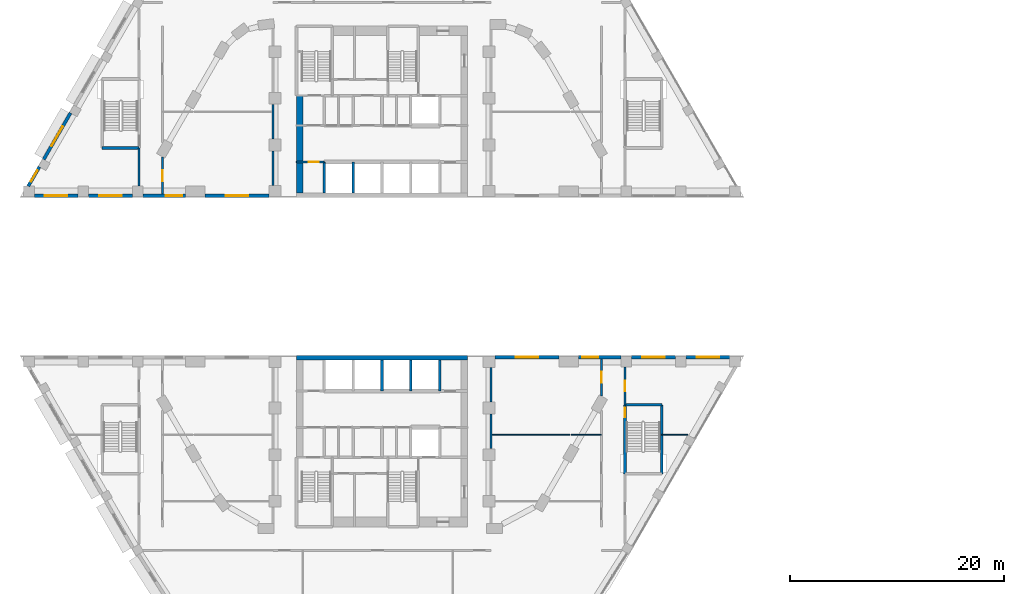
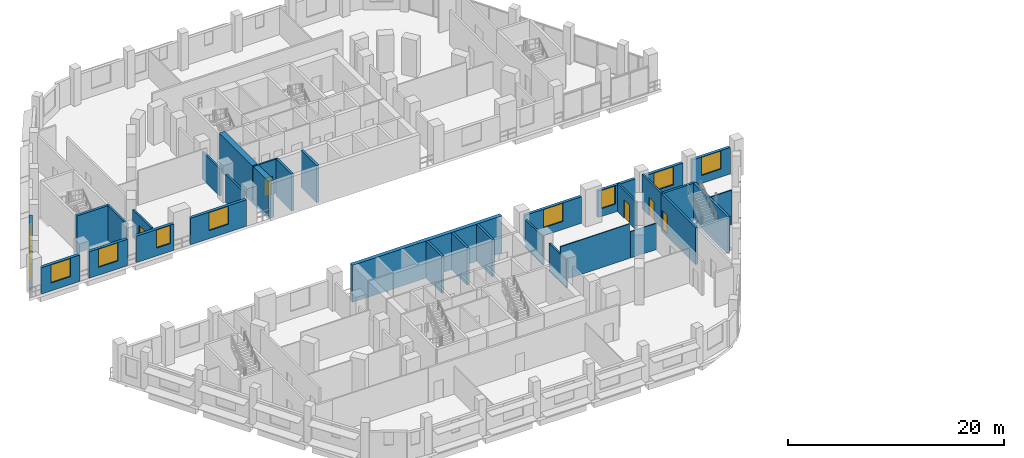
# One storey, part 16 of 45: 33 walls, 10 windows, 5 doors, 15 openings.
"""IFC4 building model written with IfcOpenShell, lengths in metres."""

from ifc_helpers import new_model, si_unit, direction, frame, frame_2d, origin, place, context, subcontext, project, spatial, rectangle, extrude, material, layer, layer_set, type_object, element, fill, save


model = new_model("IFC4")

# Units and contexts
model_context = context("Model", 3, precision=1e-05, world=origin(), true_north=direction((0.0, 1.0)))
body_context = subcontext(model_context, "Body", "Model", "MODEL_VIEW")
ifc_project = project(units=[si_unit("LENGTHUNIT", "METRE"), si_unit("AREAUNIT", "SQUARE_METRE"), si_unit("VOLUMEUNIT", "CUBIC_METRE"), si_unit("PLANEANGLEUNIT", "RADIAN"), si_unit("MASSUNIT", "GRAM", prefix="KILO")], contexts=[model_context])

# Site, building, storey
site_placement = place(None, origin())
site = spatial("IfcSite", under=ifc_project, at=site_placement, CompositionType="ELEMENT")
building_placement = place(site_placement, origin())
building = spatial("IfcBuilding", under=site, at=building_placement, Name="Nakaniwa Court", CompositionType="ELEMENT")
storey_placement = place(building_placement, frame((0.0, 0.0, 11.39990234375)))
storey = spatial("IfcBuildingStorey", under=building, at=storey_placement, Name="L02", CompositionType="ELEMENT", Elevation=11.39990234375)

# Wall, opening, door
ifc_material_1 = material(Name="Acoustic double stud partition")
ifc_layer_1 = layer(ifc_material_1, 0.199951171875)
ifc_layer_set_1 = layer_set([ifc_layer_1], Name="Acoustic double stud partition")
wall_type_1 = type_object("IfcWallType", Name="Acoustic double stud partition 200", PredefinedType="PARTITIONING", material=ifc_layer_set_1)
wall_1_placement = place(storey_placement, frame((102.699951171875, 71.532958984375, 0.0), z_axis=(0.0, 0.0, 1.0), x_axis=(0.0, -1.0, 0.0)))
wall_1 = element("IfcWall", 1, at=wall_1_placement, inside=storey, type_object=wall_type_1, Name="Partition PW-082", PredefinedType="PARTITIONING", context=body_context, shape_type="SweptSolid", body=[
    extrude(rectangle(XDim=3.535888671875, YDim=0.199951171875, at=frame_2d((1.76806640625, 0.0))), origin(), (0.0, 0.0, 1.0), 3.900146484375),
])
opening_1_placement = place(wall_1_placement, frame((1.26806640625, 0.0, 0.0)))
opening_1 = element("IfcOpeningElement", 2, at=opening_1_placement, cuts=wall_1, Name="Opening D-02-09", PredefinedType="OPENING", context=body_context, shape_type="SweptSolid", body=[
    extrude(rectangle(XDim=1.0, YDim=2.10009765625, at=frame_2d((0.5, 1.050048828125))), frame((0.0, 0.10986328125, 0.0), z_axis=(0.0, -1.0, 0.0), x_axis=(1.0, 0.0, 0.0)), (0.0, 0.0, 1.0), 0.219970703125),
])
ifc_material_2 = material(Name="Solid core timber door set, black veneer", Category="wood")
door_type_1 = type_object("IfcDoorType", Name="Internal door 1000", OperationType="NOTDEFINED", PredefinedType="DOOR", material=ifc_material_2)
door_1_placement = place(opening_1_placement, origin())
door_1 = element("IfcDoor", 3, at=door_1_placement, inside=storey, type_object=door_type_1, Name="Door D-02-09 L02-042", OperationType="SINGLE_SWING_LEFT", OverallHeight=2.10009765625, OverallWidth=1.0, PredefinedType="DOOR", context=body_context, shape_type="SweptSolid", body=[
    extrude(rectangle(XDim=1.0, YDim=2.10009765625, at=frame_2d((0.5, 1.050048828125))), frame((0.0, 0.02490234375, 0.0), z_axis=(0.0, -1.0, 0.0), x_axis=(1.0, 0.0, 0.0)), (0.0, 0.0, 1.0), 0.050048828125),
])
fill(opening_1, door_1)

wall_2_placement = place(storey_placement, frame((100.5, 68.850830078125, 0.0), z_axis=(0.0, 0.0, 1.0), x_axis=(0.0, 1.0, 0.0)))
wall_2 = element("IfcWall", 4, at=wall_2_placement, inside=storey, type_object=wall_type_1, Name="Partition PW-086", PredefinedType="PARTITIONING", context=body_context, shape_type="SweptSolid", body=[
    extrude(rectangle(XDim=3.44921875, YDim=0.199951171875, at=frame_2d((1.724609375, 0.0))), origin(), (0.0, 0.0, 1.0), 3.130126953125),
])
opening_2_placement = place(wall_2_placement, frame((1.22607421875, 0.0, 0.0)))
opening_2 = element("IfcOpeningElement", 5, at=opening_2_placement, cuts=wall_2, Name="Opening D-02-13", PredefinedType="OPENING", context=body_context, shape_type="SweptSolid", body=[
    extrude(rectangle(XDim=1.0, YDim=2.10009765625, at=frame_2d((0.5, 1.050048828125))), frame((0.0, 0.10986328125, 0.0), z_axis=(0.0, -1.0, 0.0), x_axis=(1.0, 0.0, 0.0)), (0.0, 0.0, 1.0), 0.219970703125),
])
door_2_placement = place(opening_2_placement, origin())
door_2 = element("IfcDoor", 6, at=door_2_placement, inside=storey, type_object=door_type_1, Name="Door D-02-13 L02-046", OperationType="SINGLE_SWING_LEFT", OverallHeight=2.10009765625, OverallWidth=1.0, PredefinedType="DOOR", context=body_context, shape_type="SweptSolid", body=[
    extrude(rectangle(XDim=1.0, YDim=2.10009765625, at=frame_2d((0.5, 1.050048828125))), frame((0.0, 0.02490234375, 0.0), z_axis=(0.0, -1.0, 0.0), x_axis=(1.0, 0.0, 0.0)), (0.0, 0.0, 1.0), 0.050048828125),
])
fill(opening_2, door_2)

# Wall
wall_3_placement = place(storey_placement, frame((57.300048828125, 88.467041015625, 0.0), z_axis=(0.0, 0.0, 1.0), x_axis=(0.0, 1.0, 0.0)))
element("IfcWall", 7, at=wall_3_placement, inside=storey, type_object=wall_type_1, Name="Partition PW-096", PredefinedType="PARTITIONING", context=body_context, shape_type="SweptSolid", body=[
    extrude(rectangle(XDim=3.535888671875, YDim=0.199951171875, at=frame_2d((1.76806640625, 0.0))), origin(), (0.0, 0.0, 1.0), 3.900146484375),
])

# Wall, opening, door
wall_4_placement = place(storey_placement, frame((59.5, 91.149169921875, 0.0), z_axis=(0.0, 0.0, 1.0), x_axis=(0.0, -1.0, 0.0)))
wall_4 = element("IfcWall", 8, at=wall_4_placement, inside=storey, type_object=wall_type_1, Name="Partition PW-100", PredefinedType="PARTITIONING", context=body_context, shape_type="SweptSolid", body=[
    extrude(rectangle(XDim=3.44921875, YDim=0.199951171875, at=frame_2d((1.724609375, 0.0))), origin(), (0.0, 0.0, 1.0), 3.130126953125),
])
opening_3_placement = place(wall_4_placement, frame((1.22607421875, 0.0, 0.0)))
opening_3 = element("IfcOpeningElement", 9, at=opening_3_placement, cuts=wall_4, Name="Opening D-02-04", PredefinedType="OPENING", context=body_context, shape_type="SweptSolid", body=[
    extrude(rectangle(XDim=1.0, YDim=2.10009765625, at=frame_2d((0.5, 1.050048828125))), frame((0.0, 0.10986328125, 0.0), z_axis=(0.0, -1.0, 0.0), x_axis=(1.0, 0.0, 0.0)), (0.0, 0.0, 1.0), 0.219970703125),
])
door_3_placement = place(opening_3_placement, origin())
door_3 = element("IfcDoor", 10, at=door_3_placement, inside=storey, type_object=door_type_1, Name="Door D-02-04 L02-035", OperationType="SINGLE_SWING_RIGHT", OverallHeight=2.10009765625, OverallWidth=1.0, PredefinedType="DOOR", context=body_context, shape_type="SweptSolid", body=[
    extrude(rectangle(XDim=1.0, YDim=2.10009765625, at=frame_2d((0.5, 1.050048828125))), frame((0.0, 0.02490234375, 0.0), z_axis=(0.0, -1.0, 0.0), x_axis=(1.0, 0.0, 0.0)), (0.0, 0.0, 1.0), 0.050048828125),
])
fill(opening_3, door_3)

# Walls
wall_5_placement = place(storey_placement, frame((90.199951171875, 63.9169921875, 0.0), z_axis=(0.0, 0.0, 1.0), x_axis=(0.0, 1.0, 0.0)))
element("IfcWall", 11, at=wall_5_placement, inside=storey, type_object=wall_type_1, Name="Partition PW-104", PredefinedType="PARTITIONING", context=body_context, shape_type="SweptSolid", body=[
    extrude(rectangle(XDim=3.216064453125, YDim=0.199951171875, at=frame_2d((1.60791015625, 0.0))), origin(), (0.0, 0.0, 1.0), 3.130126953125),
])
for number, where, z_axis, x_axis, name in (
    (12, (90.199951171875, 68.26708984375, 0.0), (0.0, 0.0, 1.0), (0.0, 1.0, 0.0), "Partition PW-105"),
    (13, (69.800048828125, 88.51708984375, 0.0), (0.0, 0.0, 1.0), (0.0, 1.0, 0.0), "Partition PW-114"),
):
    element("IfcWall", number, at=place(storey_placement, frame(where, z_axis=z_axis, x_axis=x_axis)), inside=storey, type_object=wall_type_1, Name=name, PredefinedType="PARTITIONING", context=body_context, shape_type="SweptSolid", body=[
        extrude(rectangle(XDim=3.2158203125, YDim=0.199951171875, at=frame_2d((1.60791015625, 0.0))), origin(), (0.0, 0.0, 1.0), 3.130126953125),
    ])
wall_6_placement = place(storey_placement, frame((69.800048828125, 92.866943359375, 0.0), z_axis=(0.0, 0.0, 1.0), x_axis=(0.0, 1.0, 0.0)))
element("IfcWall", 14, at=wall_6_placement, inside=storey, type_object=wall_type_1, Name="Partition PW-115", PredefinedType="PARTITIONING", context=body_context, shape_type="SweptSolid", body=[
    extrude(rectangle(XDim=3.216064453125, YDim=0.199951171875, at=frame_2d((1.60791015625, 0.0))), origin(), (0.0, 0.0, 1.0), 3.130126953125),
])

# Wall, opening, window
ifc_material_3 = material(Name="Charcoal ceramic cladding")
ifc_layer_2 = layer(ifc_material_3, 0.02, Name="Ceramic cladding")
ifc_material_4 = material(Name="Ventilated air cavity")
ifc_layer_3 = layer(ifc_material_4, 0.04, ventilated=True, Name="Ventilated cavity")
ifc_material_5 = material(Name="Mineral wool insulation")
ifc_layer_4 = layer(ifc_material_5, 0.1, Name="Insulation")
ifc_material_6 = material(Name="Cement bonded sheathing board")
ifc_layer_5 = layer(ifc_material_6, 0.012, Name="Sheathing")
ifc_material_7 = material(Name="Cold-formed galvanised stud frame with mineral wool infill")
ifc_layer_6 = layer(ifc_material_7, 0.1, Name="Stud frame")
ifc_material_8 = material(Name="Fire-rated gypsum plasterboard lining")
ifc_layer_7 = layer(ifc_material_8, 0.028, Name="Lining")
ifc_layer_set_2 = layer_set([ifc_layer_2, ifc_layer_3, ifc_layer_4, ifc_layer_5, ifc_layer_6, ifc_layer_7], Name="Charcoal ceramic faced external wall system")
wall_type_2 = type_object("IfcWallType", Name="Black ceramic faced external wall 300", PredefinedType="SOLIDWALL", material=ifc_layer_set_2)
wall_7_placement = place(storey_placement, frame((112.5, 72.449951171875, 0.0), z_axis=(0.0, 0.0, 1.0), x_axis=(-1.0, 0.0, 0.0)))
wall_7 = element("IfcWall", 15, at=wall_7_placement, inside=storey, type_object=wall_type_2, Name="L02 external wall 04", PredefinedType="SOLIDWALL", context=body_context, shape_type="SweptSolid", body=[
    extrude(rectangle(XDim=4.094970703125, YDim=0.300048828125, at=frame_2d((2.04736328125, 0.0))), origin(), (0.0, 0.0, 1.0), 3.0),
])
opening_4_placement = place(wall_7_placement, frame((0.99755859375, 0.0, 0.89990234375)))
opening_4 = element("IfcOpeningElement", 16, at=opening_4_placement, cuts=wall_7, Name="Opening W2.01", PredefinedType="OPENING", context=body_context, shape_type="SweptSolid", body=[
    extrude(rectangle(XDim=2.10009765625, YDim=2.050048828125, at=frame_2d((1.050048828125, 1.02490234375))), frame((0.0, 0.159912109375, 0.0), z_axis=(0.0, -1.0, 0.0), x_axis=(1.0, 0.0, 0.0)), (0.0, 0.0, 1.0), 0.320068359375),
])
ifc_material_9 = material(Name="Black anodised aluminium frame with dark low-E laminated double glazing", Category="aluminium")
window_type_1 = type_object("IfcWindowType", Name="Dark glass window 2100x2050 sill 900", PartitioningType="SINGLE_PANEL", PredefinedType="WINDOW", material=ifc_material_9)
window_1_placement = place(opening_4_placement, origin())
window_1 = element("IfcWindow", 17, at=window_1_placement, inside=storey, type_object=window_type_1, Name="L02 habitable room window 04-0", OverallHeight=2.050048828125, OverallWidth=2.10009765625, PartitioningType="SINGLE_PANEL", PredefinedType="WINDOW", context=body_context, shape_type="SweptSolid", body=[
    extrude(rectangle(XDim=2.10009765625, YDim=2.050048828125, at=frame_2d((1.050048828125, 1.02490234375))), frame((0.0, 0.030029296875, 0.0), z_axis=(0.0, -1.0, 0.0), x_axis=(1.0, 0.0, 0.0)), (0.0, 0.0, 1.0), 0.06005859375),
])
fill(opening_4, window_1)

wall_8_placement = place(storey_placement, frame((107.4130859375, 72.449951171875, 0.0), z_axis=(0.0, 0.0, 1.0), x_axis=(-1.0, 0.0, 0.0)))
wall_8 = element("IfcWall", 18, at=wall_8_placement, inside=storey, type_object=wall_type_2, Name="L02 external wall 05", PredefinedType="SOLIDWALL", context=body_context, shape_type="SweptSolid", body=[
    extrude(rectangle(XDim=4.093994140625, YDim=0.300048828125, at=frame_2d((2.046875, 0.0))), origin(), (0.0, 0.0, 1.0), 3.0),
])
opening_5_placement = place(wall_8_placement, frame((0.9970703125, 0.0, 0.89990234375)))
opening_5 = element("IfcOpeningElement", 19, at=opening_5_placement, cuts=wall_8, Name="Opening W2.02", PredefinedType="OPENING", context=body_context, shape_type="SweptSolid", body=[
    extrude(rectangle(XDim=2.10009765625, YDim=2.050048828125, at=frame_2d((1.050048828125, 1.02490234375))), frame((0.0, 0.159912109375, 0.0), z_axis=(0.0, -1.0, 0.0), x_axis=(1.0, 0.0, 0.0)), (0.0, 0.0, 1.0), 0.320068359375),
])
window_2_placement = place(opening_5_placement, origin())
window_2 = element("IfcWindow", 20, at=window_2_placement, inside=storey, type_object=window_type_1, Name="L02 habitable room window 05-0", OverallHeight=2.050048828125, OverallWidth=2.10009765625, PartitioningType="SINGLE_PANEL", PredefinedType="WINDOW", context=body_context, shape_type="SweptSolid", body=[
    extrude(rectangle(XDim=2.10009765625, YDim=2.050048828125, at=frame_2d((1.050048828125, 1.02490234375))), frame((0.0, 0.030029296875, 0.0), z_axis=(0.0, -1.0, 0.0), x_axis=(1.0, 0.0, 0.0)), (0.0, 0.0, 1.0), 0.06005859375),
])
fill(opening_5, window_2)

wall_9_placement = place(storey_placement, frame((102.326904296875, 72.449951171875, 0.0), z_axis=(0.0, 0.0, 1.0), x_axis=(-1.0, 0.0, 0.0)))
wall_9 = element("IfcWall", 21, at=wall_9_placement, inside=storey, type_object=wall_type_2, Name="L02 external wall 06", PredefinedType="SOLIDWALL", context=body_context, shape_type="SweptSolid", body=[
    extrude(rectangle(XDim=3.972900390625, YDim=0.300048828125, at=frame_2d((1.986328125, 0.0))), origin(), (0.0, 0.0, 1.0), 3.0),
])
opening_6_placement = place(wall_9_placement, frame((2.137939453125, 0.0, 0.89990234375)))
opening_6 = element("IfcOpeningElement", 22, at=opening_6_placement, cuts=wall_9, Name="Opening W4.03", PredefinedType="OPENING", context=body_context, shape_type="SweptSolid", body=[
    extrude(rectangle(XDim=1.5, YDim=2.050048828125, at=frame_2d((0.75, 1.02490234375))), frame((0.0, 0.159912109375, 0.0), z_axis=(0.0, -1.0, 0.0), x_axis=(1.0, 0.0, 0.0)), (0.0, 0.0, 1.0), 0.320068359375),
])
window_type_2 = type_object("IfcWindowType", Name="Dark glass window 1500x2050 sill 900", PartitioningType="SINGLE_PANEL", PredefinedType="WINDOW", material=ifc_material_9)
window_3_placement = place(opening_6_placement, origin())
window_3 = element("IfcWindow", 23, at=window_3_placement, inside=storey, type_object=window_type_2, Name="L02 habitable room window 06-1", OverallHeight=2.050048828125, OverallWidth=1.5, PartitioningType="SINGLE_PANEL", PredefinedType="WINDOW", context=body_context, shape_type="SweptSolid", body=[
    extrude(rectangle(XDim=1.5, YDim=2.050048828125, at=frame_2d((0.75, 1.02490234375))), frame((0.0, 0.030029296875, 0.0), z_axis=(0.0, -1.0, 0.0), x_axis=(1.0, 0.0, 0.0)), (0.0, 0.0, 1.0), 0.06005859375),
])
fill(opening_6, window_3)

wall_10_placement = place(storey_placement, frame((96.56201171875, 72.449951171875, 0.0), z_axis=(0.0, 0.0, 1.0), x_axis=(-1.0, 0.0, 0.0)))
wall_10 = element("IfcWall", 24, at=wall_10_placement, inside=storey, type_object=wall_type_2, Name="L02 external wall 07", PredefinedType="SOLIDWALL", context=body_context, shape_type="SweptSolid", body=[
    extrude(rectangle(XDim=6.01611328125, YDim=0.300048828125, at=frame_2d((3.008056640625, 0.0))), origin(), (0.0, 0.0, 1.0), 3.0),
])
opening_7_placement = place(wall_10_placement, frame((1.9580078125, 0.0, 0.89990234375)))
opening_7 = element("IfcOpeningElement", 25, at=opening_7_placement, cuts=wall_10, Name="Opening W2.04", PredefinedType="OPENING", context=body_context, shape_type="SweptSolid", body=[
    extrude(rectangle(XDim=2.10009765625, YDim=2.050048828125, at=frame_2d((1.050048828125, 1.02490234375))), frame((0.0, 0.159912109375, 0.0), z_axis=(0.0, -1.0, 0.0), x_axis=(1.0, 0.0, 0.0)), (0.0, 0.0, 1.0), 0.320068359375),
])
window_4_placement = place(opening_7_placement, origin())
window_4 = element("IfcWindow", 26, at=window_4_placement, inside=storey, type_object=window_type_1, Name="L02 habitable room window 07-0", OverallHeight=2.050048828125, OverallWidth=2.10009765625, PartitioningType="SINGLE_PANEL", PredefinedType="WINDOW", context=body_context, shape_type="SweptSolid", body=[
    extrude(rectangle(XDim=2.10009765625, YDim=2.050048828125, at=frame_2d((1.050048828125, 1.02490234375))), frame((0.0, 0.030029296875, 0.0), z_axis=(0.0, -1.0, 0.0), x_axis=(1.0, 0.0, 0.0)), (0.0, 0.0, 1.0), 0.06005859375),
])
fill(opening_7, window_4)

wall_11_placement = place(storey_placement, frame((50.891357421875, 95.2822265625, 0.0), z_axis=(0.0, 0.0, 1.0), x_axis=(-0.500011252833, -0.866018906861, 0.0)))
wall_11 = element("IfcWall", 27, at=wall_11_placement, inside=storey, type_object=wall_type_2, Name="L02 external wall 29", PredefinedType="SOLIDWALL", context=body_context, shape_type="SweptSolid", body=[
    extrude(rectangle(XDim=5.02490234375, YDim=0.300048828125, at=frame_2d((2.512451171875, 0.0))), origin(), (0.0, 0.0, 1.0), 3.0),
])
opening_8_placement = place(wall_11_placement, frame((1.46240234375, 0.0, 0.89990234375)))
opening_8 = element("IfcOpeningElement", 28, at=opening_8_placement, cuts=wall_11, Name="Opening W2.24", PredefinedType="OPENING", context=body_context, shape_type="SweptSolid", body=[
    extrude(rectangle(XDim=2.10009765625, YDim=2.050048828125, at=frame_2d((1.050048828125, 1.02490234375))), frame((0.0, 0.159912109375, 0.0), z_axis=(0.0, -1.0, 0.0), x_axis=(1.0, 0.0, 0.0)), (0.0, 0.0, 1.0), 0.320068359375),
])
window_5_placement = place(opening_8_placement, origin())
window_5 = element("IfcWindow", 29, at=window_5_placement, inside=storey, type_object=window_type_1, Name="L02 habitable room window 29-0", OverallHeight=2.050048828125, OverallWidth=2.10009765625, PartitioningType="SINGLE_PANEL", PredefinedType="WINDOW", context=body_context, shape_type="SweptSolid", body=[
    extrude(rectangle(XDim=2.10009765625, YDim=2.050048828125, at=frame_2d((1.050048828125, 1.02490234375))), frame((0.0, 0.030029296875, 0.0), z_axis=(0.0, -1.0, 0.0), x_axis=(1.0, 0.0, 0.0)), (0.0, 0.0, 1.0), 0.06005859375),
])
fill(opening_8, window_5)

wall_12_placement = place(storey_placement, frame((47.98291015625, 90.244873046875, 0.0), z_axis=(0.0, 0.0, 1.0), x_axis=(-0.500020978615, -0.866013291437, 0.0)))
wall_12 = element("IfcWall", 30, at=wall_12_placement, inside=storey, type_object=wall_type_2, Name="L02 external wall 30", PredefinedType="SOLIDWALL", context=body_context, shape_type="SweptSolid", body=[
    extrude(rectangle(XDim=2.07666015625, YDim=0.300048828125, at=frame_2d((1.038330078125, 0.0))), origin(), (0.0, 0.0, 1.0), 3.0),
])
opening_9_placement = place(wall_12_placement, frame((0.3876953125, 0.0, 0.89990234375)))
opening_9 = element("IfcOpeningElement", 31, at=opening_9_placement, cuts=wall_12, Name="Opening W1.25", PredefinedType="OPENING", context=body_context, shape_type="SweptSolid", body=[
    extrude(rectangle(XDim=1.199951171875, YDim=2.050048828125, at=frame_2d((0.60009765625, 1.02490234375))), frame((0.0, 0.159912109375, 0.0), z_axis=(0.0, -1.0, 0.0), x_axis=(1.0, 0.0, 0.0)), (0.0, 0.0, 1.0), 0.320068359375),
])
window_type_3 = type_object("IfcWindowType", Name="Dark glass window 1200x2050 sill 900", PartitioningType="SINGLE_PANEL", PredefinedType="WINDOW", material=ifc_material_9)
window_6_placement = place(opening_9_placement, origin())
window_6 = element("IfcWindow", 32, at=window_6_placement, inside=storey, type_object=window_type_3, Name="L02 habitable room window 30-0", OverallHeight=2.050048828125, OverallWidth=1.199951171875, PartitioningType="SINGLE_PANEL", PredefinedType="WINDOW", context=body_context, shape_type="SweptSolid", body=[
    extrude(rectangle(XDim=1.199951171875, YDim=2.050048828125, at=frame_2d((0.60009765625, 1.02490234375))), frame((0.0, 0.030029296875, 0.0), z_axis=(0.0, -1.0, 0.0), x_axis=(1.0, 0.0, 0.0)), (0.0, 0.0, 1.0), 0.06005859375),
])
fill(opening_9, window_6)

wall_13_placement = place(storey_placement, frame((47.5, 87.550048828125, 0.0), z_axis=(0.0, 0.0, 1.0), x_axis=(1.0, 0.0, 0.0)))
wall_13 = element("IfcWall", 33, at=wall_13_placement, inside=storey, type_object=wall_type_2, Name="L02 external wall 31", PredefinedType="SOLIDWALL", context=body_context, shape_type="SweptSolid", body=[
    extrude(rectangle(XDim=4.094970703125, YDim=0.300048828125, at=frame_2d((2.04736328125, 0.0))), origin(), (0.0, 0.0, 1.0), 3.0),
])
opening_10_placement = place(wall_13_placement, frame((0.99755859375, 0.0, 0.89990234375)))
opening_10 = element("IfcOpeningElement", 34, at=opening_10_placement, cuts=wall_13, Name="Opening W2.26", PredefinedType="OPENING", context=body_context, shape_type="SweptSolid", body=[
    extrude(rectangle(XDim=2.10009765625, YDim=2.050048828125, at=frame_2d((1.050048828125, 1.02490234375))), frame((0.0, 0.159912109375, 0.0), z_axis=(0.0, -1.0, 0.0), x_axis=(1.0, 0.0, 0.0)), (0.0, 0.0, 1.0), 0.320068359375),
])
window_7_placement = place(opening_10_placement, origin())
window_7 = element("IfcWindow", 35, at=window_7_placement, inside=storey, type_object=window_type_1, Name="L02 habitable room window 31-0", OverallHeight=2.050048828125, OverallWidth=2.10009765625, PartitioningType="SINGLE_PANEL", PredefinedType="WINDOW", context=body_context, shape_type="SweptSolid", body=[
    extrude(rectangle(XDim=2.10009765625, YDim=2.050048828125, at=frame_2d((1.050048828125, 1.02490234375))), frame((0.0, 0.030029296875, 0.0), z_axis=(0.0, -1.0, 0.0), x_axis=(1.0, 0.0, 0.0)), (0.0, 0.0, 1.0), 0.06005859375),
])
fill(opening_10, window_7)

wall_14_placement = place(storey_placement, frame((52.5869140625, 87.550048828125, 0.0), z_axis=(0.0, 0.0, 1.0), x_axis=(1.0, 0.0, 0.0)))
wall_14 = element("IfcWall", 36, at=wall_14_placement, inside=storey, type_object=wall_type_2, Name="L02 external wall 32", PredefinedType="SOLIDWALL", context=body_context, shape_type="SweptSolid", body=[
    extrude(rectangle(XDim=4.093994140625, YDim=0.300048828125, at=frame_2d((2.046875, 0.0))), origin(), (0.0, 0.0, 1.0), 3.0),
])
opening_11_placement = place(wall_14_placement, frame((0.9970703125, 0.0, 0.89990234375)))
opening_11 = element("IfcOpeningElement", 37, at=opening_11_placement, cuts=wall_14, Name="Opening W2.27", PredefinedType="OPENING", context=body_context, shape_type="SweptSolid", body=[
    extrude(rectangle(XDim=2.10009765625, YDim=2.050048828125, at=frame_2d((1.050048828125, 1.02490234375))), frame((0.0, 0.159912109375, 0.0), z_axis=(0.0, -1.0, 0.0), x_axis=(1.0, 0.0, 0.0)), (0.0, 0.0, 1.0), 0.320068359375),
])
window_8_placement = place(opening_11_placement, origin())
window_8 = element("IfcWindow", 38, at=window_8_placement, inside=storey, type_object=window_type_1, Name="L02 habitable room window 32-0", OverallHeight=2.050048828125, OverallWidth=2.10009765625, PartitioningType="SINGLE_PANEL", PredefinedType="WINDOW", context=body_context, shape_type="SweptSolid", body=[
    extrude(rectangle(XDim=2.10009765625, YDim=2.050048828125, at=frame_2d((1.050048828125, 1.02490234375))), frame((0.0, 0.030029296875, 0.0), z_axis=(0.0, -1.0, 0.0), x_axis=(1.0, 0.0, 0.0)), (0.0, 0.0, 1.0), 0.06005859375),
])
fill(opening_11, window_8)

wall_15_placement = place(storey_placement, frame((57.673095703125, 87.550048828125, 0.0), z_axis=(0.0, 0.0, 1.0), x_axis=(1.0, 0.0, 0.0)))
wall_15 = element("IfcWall", 39, at=wall_15_placement, inside=storey, type_object=wall_type_2, Name="L02 external wall 33", PredefinedType="SOLIDWALL", context=body_context, shape_type="SweptSolid", body=[
    extrude(rectangle(XDim=3.972900390625, YDim=0.300048828125, at=frame_2d((1.986328125, 0.0))), origin(), (0.0, 0.0, 1.0), 3.0),
])
opening_12_placement = place(wall_15_placement, frame((2.137939453125, 0.0, 0.89990234375)))
opening_12 = element("IfcOpeningElement", 40, at=opening_12_placement, cuts=wall_15, Name="Opening W4.28", PredefinedType="OPENING", context=body_context, shape_type="SweptSolid", body=[
    extrude(rectangle(XDim=1.5, YDim=2.050048828125, at=frame_2d((0.75, 1.02490234375))), frame((0.0, 0.159912109375, 0.0), z_axis=(0.0, -1.0, 0.0), x_axis=(1.0, 0.0, 0.0)), (0.0, 0.0, 1.0), 0.320068359375),
])
window_9_placement = place(opening_12_placement, origin())
window_9 = element("IfcWindow", 41, at=window_9_placement, inside=storey, type_object=window_type_2, Name="L02 habitable room window 33-1", OverallHeight=2.050048828125, OverallWidth=1.5, PartitioningType="SINGLE_PANEL", PredefinedType="WINDOW", context=body_context, shape_type="SweptSolid", body=[
    extrude(rectangle(XDim=1.5, YDim=2.050048828125, at=frame_2d((0.75, 1.02490234375))), frame((0.0, 0.030029296875, 0.0), z_axis=(0.0, -1.0, 0.0), x_axis=(1.0, 0.0, 0.0)), (0.0, 0.0, 1.0), 0.06005859375),
])
fill(opening_12, window_9)

wall_16_placement = place(storey_placement, frame((63.43798828125, 87.550048828125, 0.0), z_axis=(0.0, 0.0, 1.0), x_axis=(1.0, 0.0, 0.0)))
wall_16 = element("IfcWall", 42, at=wall_16_placement, inside=storey, type_object=wall_type_2, Name="L02 external wall 34", PredefinedType="SOLIDWALL", context=body_context, shape_type="SweptSolid", body=[
    extrude(rectangle(XDim=6.01611328125, YDim=0.300048828125, at=frame_2d((3.008056640625, 0.0))), origin(), (0.0, 0.0, 1.0), 3.0),
])
opening_13_placement = place(wall_16_placement, frame((1.9580078125, 0.0, 0.89990234375)))
opening_13 = element("IfcOpeningElement", 43, at=opening_13_placement, cuts=wall_16, Name="Opening W2.29", PredefinedType="OPENING", context=body_context, shape_type="SweptSolid", body=[
    extrude(rectangle(XDim=2.10009765625, YDim=2.050048828125, at=frame_2d((1.050048828125, 1.02490234375))), frame((0.0, 0.159912109375, 0.0), z_axis=(0.0, -1.0, 0.0), x_axis=(1.0, 0.0, 0.0)), (0.0, 0.0, 1.0), 0.320068359375),
])
window_10_placement = place(opening_13_placement, origin())
window_10 = element("IfcWindow", 44, at=window_10_placement, inside=storey, type_object=window_type_1, Name="L02 habitable room window 34-0", OverallHeight=2.050048828125, OverallWidth=2.10009765625, PartitioningType="SINGLE_PANEL", PredefinedType="WINDOW", context=body_context, shape_type="SweptSolid", body=[
    extrude(rectangle(XDim=2.10009765625, YDim=2.050048828125, at=frame_2d((1.050048828125, 1.02490234375))), frame((0.0, 0.030029296875, 0.0), z_axis=(0.0, -1.0, 0.0), x_axis=(1.0, 0.0, 0.0)), (0.0, 0.0, 1.0), 0.06005859375),
])
fill(opening_13, window_10)

# Wall, opening, door
ifc_material_10 = material(Name="Blockwork partition", Category="masonry")
ifc_layer_8 = layer(ifc_material_10, 0.14990234375)
ifc_layer_set_3 = layer_set([ifc_layer_8], Name="Blockwork partition")
wall_type_3 = type_object("IfcWallType", Name="Blockwork partition 150", PredefinedType="PARTITIONING", material=ifc_layer_set_3)
wall_17_placement = place(storey_placement, frame((74.60009765625, 90.699951171875, 0.0), z_axis=(0.0, 0.0, 1.0), x_axis=(-1.0, 0.0, 0.0)))
wall_17 = element("IfcWall", 45, at=wall_17_placement, inside=storey, type_object=wall_type_3, Name="Partition PW-003", PredefinedType="PARTITIONING", context=body_context, shape_type="SweptSolid", body=[
    extrude(rectangle(XDim=2.60009765625, YDim=0.14990234375, at=frame_2d((1.300048828125, 0.0))), origin(), (0.0, 0.0, 1.0), 3.900146484375),
])
opening_14_placement = place(wall_17_placement, frame((0.52490234375, 0.0, 0.0)))
opening_14 = element("IfcOpeningElement", 46, at=opening_14_placement, cuts=wall_17, Name="Opening D-05-01", PredefinedType="OPENING", context=body_context, shape_type="SweptSolid", body=[
    extrude(rectangle(XDim=0.89990234375, YDim=2.10009765625, at=frame_2d((0.449951171875, 1.050048828125))), frame((0.0, 0.0849609375, 0.0), z_axis=(0.0, -1.0, 0.0), x_axis=(1.0, 0.0, 0.0)), (0.0, 0.0, 1.0), 0.169921875),
])
ifc_material_11 = material(Name="Fire rated steel door set", Category="steel")
door_type_2 = type_object("IfcDoorType", Name="Service room door 900", OperationType="NOTDEFINED", PredefinedType="DOOR", material=ifc_material_11)
door_4_placement = place(opening_14_placement, origin())
door_4 = element("IfcDoor", 47, at=door_4_placement, inside=storey, type_object=door_type_2, Name="Door D-05-01 L02-001", OperationType="SINGLE_SWING_RIGHT", OverallHeight=2.10009765625, OverallWidth=0.89990234375, PredefinedType="DOOR", context=body_context, shape_type="SweptSolid", body=[
    extrude(rectangle(XDim=0.89990234375, YDim=2.10009765625, at=frame_2d((0.449951171875, 1.050048828125))), frame((0.0, 0.02490234375, 0.0), z_axis=(0.0, -1.0, 0.0), x_axis=(1.0, 0.0, 0.0)), (0.0, 0.0, 1.0), 0.050048828125),
])
fill(opening_14, door_4)

# Wall
ifc_material_12 = material(Name="Concrete C100/115", Category="concrete")
ifc_layer_9 = layer(ifc_material_12, 0.60009765625)
ifc_layer_set_4 = layer_set([ifc_layer_9], Name="Concrete C100/115")
wall_type_4 = type_object("IfcWallType", Name="Concrete core side wall 600 C100", PredefinedType="SHEAR", material=ifc_layer_set_4)
wall_18_placement = place(storey_placement, frame((72.300048828125, 87.800048828125, -0.2998046875), z_axis=(0.0, 0.0, 1.0), x_axis=(0.0, 1.0, 0.0)))
element("IfcWall", 48, at=wall_18_placement, inside=storey, type_object=wall_type_4, Name="Core wall SW-04", PredefinedType="SHEAR", context=body_context, shape_type="SweptSolid", body=[
    extrude(rectangle(XDim=9.099853515625, YDim=0.60009765625, at=frame_2d((4.5498046875, 0.0))), origin(), (0.0, 0.0, 1.0), 4.199951171875),
])

# Wall, opening, door
ifc_layer_10 = layer(ifc_material_12, 0.25)
ifc_layer_set_5 = layer_set([ifc_layer_10], Name="Concrete C100/115")
wall_type_5 = type_object("IfcWallType", Name="Concrete core wall 250 C100", PredefinedType="SHEAR", material=ifc_layer_set_5)
wall_19_placement = place(storey_placement, frame((102.699951171875, 61.547119140625, -0.2998046875), z_axis=(0.0, 0.0, 1.0), x_axis=(0.0, 1.0, 0.0)))
wall_19 = element("IfcWall", 49, at=wall_19_placement, inside=storey, type_object=wall_type_5, Name="Core wall SW-79", PredefinedType="SHEAR", context=body_context, shape_type="SweptSolid", body=[
    extrude(rectangle(XDim=6.455810546875, YDim=0.25, at=frame_2d((3.22802734375, 0.0))), origin(), (0.0, 0.0, 1.0), 4.199951171875),
])
opening_15_placement = place(wall_19_placement, frame((5.305908203125, 0.0, 0.300048828125)))
opening_15 = element("IfcOpeningElement", 50, at=opening_15_placement, cuts=wall_19, Name="Opening D-11-05", PredefinedType="OPENING", context=body_context, shape_type="SweptSolid", body=[
    extrude(rectangle(XDim=0.89990234375, YDim=2.10009765625, at=frame_2d((0.449951171875, 1.050048828125))), frame((0.0, 0.135009765625, 0.0), z_axis=(0.0, -1.0, 0.0), x_axis=(1.0, 0.0, 0.0)), (0.0, 0.0, 1.0), 0.27001953125),
])
door_type_3 = type_object("IfcDoorType", Name="Stair door 900", OperationType="NOTDEFINED", PredefinedType="DOOR", material=ifc_material_11)
door_5_placement = place(opening_15_placement, origin())
door_5 = element("IfcDoor", 51, at=door_5_placement, inside=storey, type_object=door_type_3, Name="Door D-11-05 L02-040", OperationType="SINGLE_SWING_RIGHT", OverallHeight=2.10009765625, OverallWidth=0.89990234375, PredefinedType="DOOR", context=body_context, shape_type="SweptSolid", body=[
    extrude(rectangle(XDim=0.89990234375, YDim=2.10009765625, at=frame_2d((0.449951171875, 1.050048828125))), frame((0.0, 0.02490234375, 0.0), z_axis=(0.0, -1.0, 0.0), x_axis=(1.0, 0.0, 0.0)), (0.0, 0.0, 1.0), 0.050048828125),
])
fill(opening_15, door_5)

# Walls
wall_20_placement = place(storey_placement, frame((106.14990234375, 61.550048828125, -0.2998046875), z_axis=(0.0, 0.0, 1.0), x_axis=(0.0, 1.0, 0.0)))
element("IfcWall", 52, at=wall_20_placement, inside=storey, type_object=wall_type_5, Name="Core wall SW-118", PredefinedType="SHEAR", context=body_context, shape_type="SweptSolid", body=[
    extrude(rectangle(XDim=6.449951171875, YDim=0.25, at=frame_2d((3.22509765625, 0.0))), origin(), (0.0, 0.0, 1.0), 4.199951171875),
])
for number, where, z_axis, x_axis, name in (
    (53, (53.85009765625, 92.0, -0.2998046875), (0.0, 0.0, 1.0), (1.0, 0.0, 0.0), "Core wall SW-122"),
    (54, (102.699951171875, 68.0, -0.2998046875), (0.0, 0.0, 1.0), (1.0, 0.0, 0.0), "Core wall SW-136"),
):
    element("IfcWall", number, at=place(storey_placement, frame(where, z_axis=z_axis, x_axis=x_axis)), inside=storey, type_object=wall_type_5, Name=name, PredefinedType="SHEAR", context=body_context, shape_type="SweptSolid", body=[
        extrude(rectangle(XDim=3.449951171875, YDim=0.25, at=frame_2d((1.72509765625, 0.0))), origin(), (0.0, 0.0, 1.0), 4.199951171875),
    ])
ifc_layer_11 = layer(ifc_material_12, 0.39990234375)
ifc_layer_set_6 = layer_set([ifc_layer_11], Name="Concrete C100/115")
wall_type_6 = type_object("IfcWallType", Name="Concrete core well wall 400 C100", PredefinedType="SHEAR", material=ifc_layer_set_6)
wall_21_placement = place(storey_placement, frame((72.00390625, 72.39990234375, -0.2998046875), z_axis=(0.0, 0.0, 1.0), x_axis=(1.0, 0.0, 0.0)))
element("IfcWall", 55, at=wall_21_placement, inside=storey, type_object=wall_type_6, Name="Core wall SW-153", PredefinedType="SHEAR", context=body_context, shape_type="SweptSolid", body=[
    extrude(rectangle(XDim=15.9921875, YDim=0.39990234375, at=frame_2d((7.99609375, 0.0))), origin(), (0.0, 0.0, 1.0), 4.199951171875),
])
ifc_layer_12 = layer(ifc_material_12, 0.25)
ifc_layer_set_7 = layer_set([ifc_layer_12], Name="Concrete C100/115")
wall_type_7 = type_object("IfcWallType", Name="Concrete shaft wall 250 C100", PredefinedType="SHEAR", material=ifc_layer_set_7)
for number, where, z_axis, x_axis, name in (
    (56, (74.60009765625, 87.800048828125, -0.2998046875), (0.0, 0.0, 1.0), (0.0, 1.0, 0.0), "Core wall SW-01"),
    (57, (77.300048828125, 87.800048828125, -0.2998046875), (0.0, 0.0, 1.0), (0.0, 1.0, 0.0), "Core wall SW-05"),
    (58, (80.0, 69.300048828125, -0.2998046875), (0.0, 0.0, 1.0), (0.0, 1.0, 0.0), "Core wall SW-48"),
    (59, (82.699951171875, 69.300048828125, -0.2998046875), (0.0, 0.0, 1.0), (0.0, 1.0, 0.0), "Core wall SW-50"),
    (60, (85.39990234375, 69.300048828125, -0.2998046875), (0.0, 0.0, 1.0), (0.0, 1.0, 0.0), "Core wall SW-52"),
):
    element("IfcWall", number, at=place(storey_placement, frame(where, z_axis=z_axis, x_axis=x_axis)), inside=storey, type_object=wall_type_7, Name=name, PredefinedType="SHEAR", context=body_context, shape_type="SweptSolid", body=[
        extrude(rectangle(XDim=2.89990234375, YDim=0.25, at=frame_2d((1.449951171875, 0.0))), origin(), (0.0, 0.0, 1.0), 4.199951171875),
    ])
ifc_material_13 = material(Name="Single stud plasterboard partition")
ifc_layer_13 = layer(ifc_material_13, 0.10009765625)
ifc_layer_set_8 = layer_set([ifc_layer_13], Name="Single stud plasterboard partition")
wall_type_8 = type_object("IfcWallType", Name="Single stud plasterboard partition 100", PredefinedType="PARTITIONING", material=ifc_layer_set_8)
wall_22_placement = place(storey_placement, frame((90.199951171875, 65.199951171875, 0.0), z_axis=(0.0, 0.0, 1.0), x_axis=(1.0, 0.0, 0.0)))
element("IfcWall", 61, at=wall_22_placement, inside=storey, type_object=wall_type_8, Name="Partition PW-142", PredefinedType="PARTITIONING", context=body_context, shape_type="SweptSolid", body=[
    extrude(rectangle(XDim=7.366455078125, YDim=0.10009765625, at=frame_2d((3.68310546875, 0.0))), origin(), (0.0, 0.0, 1.0), 3.900146484375),
])
wall_23_placement = place(storey_placement, frame((97.680419921875, 65.199951171875, 0.0), z_axis=(0.0, 0.0, 1.0), x_axis=(1.0, 0.0, 0.0)))
element("IfcWall", 62, at=wall_23_placement, inside=storey, type_object=wall_type_8, Name="Partition PW-143", PredefinedType="PARTITIONING", context=body_context, shape_type="SweptSolid", body=[
    extrude(rectangle(XDim=2.819580078125, YDim=0.10009765625, at=frame_2d((1.40966796875, 0.0))), origin(), (0.0, 0.0, 1.0), 2.97998046875),
])
wall_24_placement = place(storey_placement, frame((106.14990234375, 65.199951171875, 0.0), z_axis=(0.0, 0.0, 1.0), x_axis=(1.0, 0.0, 0.0)))
element("IfcWall", 63, at=wall_24_placement, inside=storey, type_object=wall_type_8, Name="Partition PW-144", PredefinedType="PARTITIONING", context=body_context, shape_type="SweptSolid", body=[
    extrude(rectangle(XDim=2.40576171875, YDim=0.10009765625, at=frame_2d((1.202880859375, 0.0))), origin(), (0.0, 0.0, 1.0), 3.900146484375),
])

save(model, "model.ifc")
